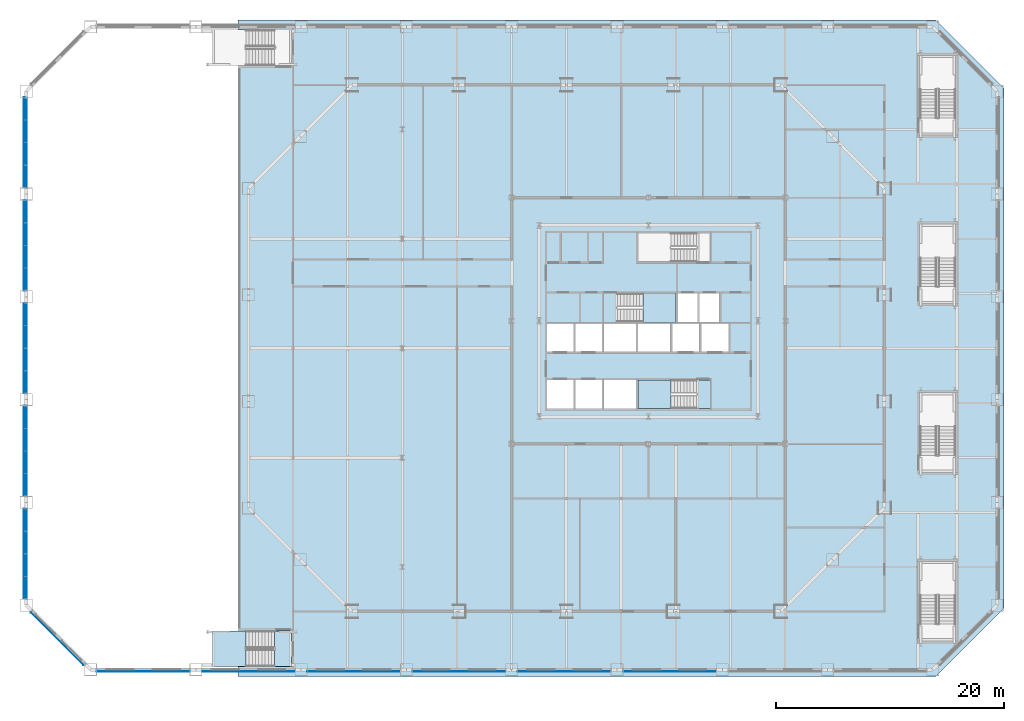
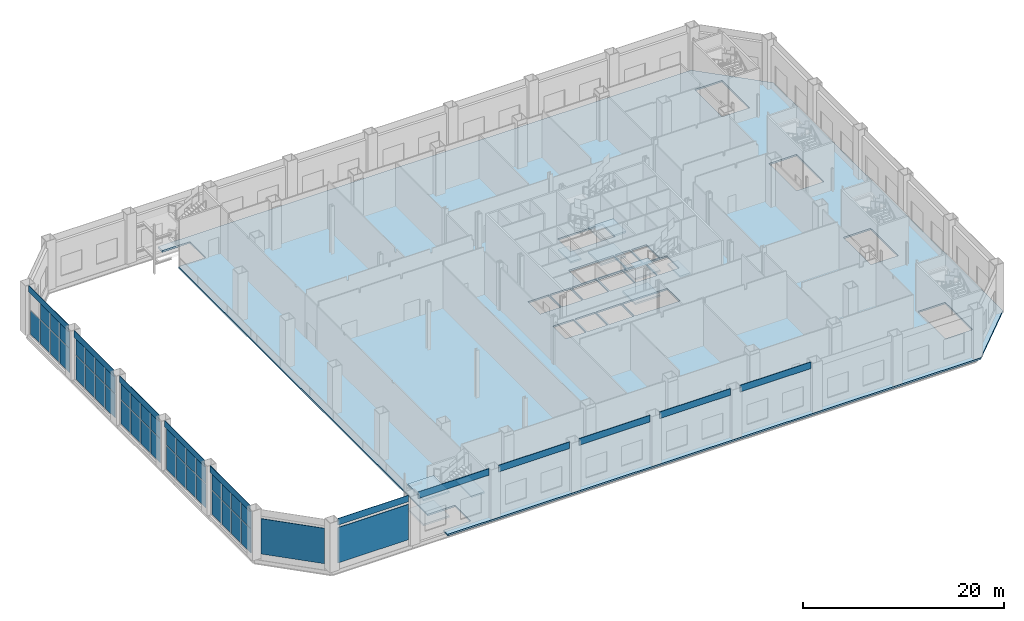
# One storey, part 14 of 31: 52 plates, 10 slabs, 8 elements without a shape of their own.
"""IFC4 building model written with IfcOpenShell, lengths in metres."""

from ifc_helpers import new_model, si_unit, direction, frame, origin, origin_2d, place, context, subcontext, project, spatial, polyline, rectangle, outline, extrude, material, layer, layer_set, type_object, element, aggregate, save


model = new_model("IFC4")

# Units and contexts
model_context = context("Model", 3, precision=1e-05, world=origin(), true_north=direction((0.0, 1.0)))
body_context = subcontext(model_context, "Body", "Model", "MODEL_VIEW")
ifc_project = project(units=[si_unit("LENGTHUNIT", "METRE"), si_unit("AREAUNIT", "SQUARE_METRE"), si_unit("VOLUMEUNIT", "CUBIC_METRE"), si_unit("PLANEANGLEUNIT", "RADIAN"), si_unit("MASSUNIT", "GRAM", prefix="KILO")], contexts=[model_context])

# Site, building, storey
site_placement = place(None, origin())
site = spatial("IfcSite", under=ifc_project, at=site_placement, CompositionType="ELEMENT")
building_placement = place(site_placement, origin())
building = spatial("IfcBuilding", under=site, at=building_placement, Name="Cairn Pilgrim Tower", CompositionType="ELEMENT")
storey_placement = place(building_placement, frame((0.0, 0.0, 15.0)))
storey = spatial("IfcBuildingStorey", under=building, at=storey_placement, Name="L02", CompositionType="ELEMENT", Elevation=15.0)

# Plates
ifc_material_1 = material(Name="Bronze anodised aluminium", Category="aluminium")
ifc_layer_1 = layer(ifc_material_1, 0.050048828125)
ifc_layer_set_1 = layer_set([ifc_layer_1], Name="BRONZE FASCIA PANEL 50")
plate_type_1 = type_object("IfcPlateType", Name="BRONZE FASCIA PANEL 50", PredefinedType="SHEET", material=ifc_layer_set_1)
for number, where, z_axis, x_axis, name in (
    (1, (-37.132568359375, -28.375, 5.2001953125), (0.0, 0.0, 1.0), (1.0, 0.0, 0.0), "FASCIA"),
    (2, (-27.894775390625, -28.375, 5.2001953125), (0.0, 0.0, 1.0), (1.0, 0.0, 0.0), "FASCIA"),
    (3, (-18.65673828125, -28.375, 5.2001953125), (0.0, 0.0, 1.0), (1.0, 0.0, 0.0), "FASCIA"),
    (4, (-9.4189453125, -28.375, 5.2001953125), (0.0, 0.0, 1.0), (1.0, 0.0, 0.0), "FASCIA"),
    (5, (-0.18115234375, -28.375, 5.2001953125), (0.0, 0.0, 1.0), (1.0, 0.0, 0.0), "FASCIA"),
    (6, (9.056884765625, -28.375, 5.2001953125), (0.0, 0.0, 1.0), (1.0, 0.0, 0.0), "FASCIA"),
):
    element("IfcPlate", number, at=place(storey_placement, frame(where, z_axis=z_axis, x_axis=x_axis)), inside=storey, type_object=plate_type_1, Name=name, PredefinedType="SHEET", context=body_context, shape_type="SweptSolid", body=[
        extrude(rectangle(XDim=8.137939453125, YDim=0.050048828125, at=origin_2d()), origin(), (0.0, 0.0, 1.0), 0.800048828125),
    ])
for number, where, z_axis, x_axis, name in (
    (7, (-47.574951171875, 18.041259765625, 5.2001953125), (0.0, 0.0, 1.0), (0.0, -1.0, 0.0), "FASCIA"),
    (8, (-47.574951171875, 9.0205078125, 5.2001953125), (0.0, 0.0, 1.0), (0.0, -1.0, 0.0), "FASCIA"),
    (9, (-47.574951171875, 0.0, 5.2001953125), (0.0, 0.0, 1.0), (0.0, -1.0, 0.0), "FASCIA"),
    (10, (-47.574951171875, -9.0205078125, 5.2001953125), (0.0, 0.0, 1.0), (0.0, -1.0, 0.0), "FASCIA"),
    (11, (-47.574951171875, -18.041259765625, 5.2001953125), (0.0, 0.0, 1.0), (0.0, -1.0, 0.0), "FASCIA"),
):
    element("IfcPlate", number, at=place(storey_placement, frame(where, z_axis=z_axis, x_axis=x_axis)), inside=storey, type_object=plate_type_1, Name=name, PredefinedType="SHEET", context=body_context, shape_type="SweptSolid", body=[
        extrude(rectangle(XDim=7.920654296875, YDim=0.050048828125, at=origin_2d()), origin(), (0.0, 0.0, 1.0), 0.800048828125),
    ])
ifc_material_2 = material(Name="Perforated bronze anodised aluminium", Category="aluminium")
ifc_layer_2 = layer(ifc_material_2, 0.050048828125)
ifc_layer_set_2 = layer_set([ifc_layer_2], Name="COBOGO SCREEN 50 BRONZE")
plate_type_2 = type_object("IfcPlateType", Name="COBOGO SCREEN 50 BRONZE", PredefinedType="SHEET", material=ifc_layer_set_2)
plate_1_placement = place(storey_placement, frame((-37.132568359375, -28.375, 0.60009765625), z_axis=(0.0, 0.0, 1.0), x_axis=(1.0, 0.0, 0.0)))
element("IfcPlate", 12, at=plate_1_placement, inside=storey, type_object=plate_type_2, Name="SCREEN", PredefinedType="SHEET", context=body_context, shape_type="SweptSolid", body=[
    extrude(rectangle(XDim=8.137939453125, YDim=0.050048828125, at=origin_2d()), origin(), (0.0, 0.0, 1.0), 4.300048828125),
])
plate_2_placement = place(storey_placement, frame((-44.699462890625, -25.49951171875, 0.60009765625), z_axis=(0.0, 0.0, 1.0), x_axis=(0.707106781187, -0.707106781187, 0.0)))
element("IfcPlate", 13, at=plate_2_placement, inside=storey, type_object=plate_type_2, Name="SCREEN", PredefinedType="SHEET", context=body_context, shape_type="SweptSolid", body=[
    extrude(rectangle(XDim=6.50830078125, YDim=0.050048828125, at=origin_2d()), origin(), (0.0, 0.0, 1.0), 4.300048828125),
])

# Curtain wall, plates
ifc_material_3 = material(Name="Bronze anodised aluminium with Tinted laminated low-E glass", Category="aluminium")
curtain_wall_type = type_object("IfcCurtainWallType", Name="HALL CW", PredefinedType="NOTDEFINED", material=ifc_material_3)
curtain_wall_1_placement = place(storey_placement, origin())
curtain_wall_1 = element("IfcCurtainWall", 14, at=curtain_wall_1_placement, inside=storey, type_object=curtain_wall_type, Name="HALL CW L02 W1-W2", PredefinedType="NOTDEFINED")
ifc_material_4 = material(Name="Tinted laminated low-E glass", Category="glass")
ifc_layer_3 = layer(ifc_material_4, 0.028076171875)
ifc_layer_set_3 = layer_set([ifc_layer_3], Name="HALL GLASS PANEL 1920x2020")
plate_type_3 = type_object("IfcPlateType", Name="HALL GLASS PANEL 1920x2020", PredefinedType="CURTAIN_PANEL", material=ifc_layer_set_3)
plate_3_placement = place(storey_placement, frame((-47.39990234375, 19.03125, 3.02978515625), z_axis=(0.0, 0.0, 1.0), x_axis=(0.0, -1.0, 0.0)))
plate_3 = element("IfcPlate", 15, at=plate_3_placement, type_object=plate_type_3, Name="HCW-W1-W2 panel 2.2", PredefinedType="CURTAIN_PANEL", context=body_context, shape_type="SweptSolid", body=[
    extrude(rectangle(XDim=1.920166015625, YDim=0.028076171875, at=origin_2d()), origin(), (0.0, 0.0, 1.0), 2.110107421875),
])
plate_4_placement = place(storey_placement, frame((-47.39990234375, 17.051025390625, 3.02978515625), z_axis=(0.0, 0.0, 1.0), x_axis=(0.0, -1.0, 0.0)))
plate_4 = element("IfcPlate", 16, at=plate_4_placement, type_object=plate_type_3, Name="HCW-W1-W2 panel 3.2", PredefinedType="CURTAIN_PANEL", context=body_context, shape_type="SweptSolid", body=[
    extrude(rectangle(XDim=1.920166015625, YDim=0.028076171875, at=origin_2d()), origin(), (0.0, 0.0, 1.0), 2.110107421875),
])
plate_5_placement = place(storey_placement, frame((-47.39990234375, 15.0859375, 3.02978515625), z_axis=(0.0, 0.0, 1.0), x_axis=(0.0, -1.0, 0.0)))
plate_5 = element("IfcPlate", 17, at=plate_5_placement, type_object=plate_type_3, Name="HCW-W1-W2 panel 4.2", PredefinedType="CURTAIN_PANEL", context=body_context, shape_type="SweptSolid", body=[
    extrude(rectangle(XDim=1.89013671875, YDim=0.028076171875, at=origin_2d()), origin(), (0.0, 0.0, 1.0), 2.110107421875),
])

curtain_wall_2_placement = place(storey_placement, origin())
curtain_wall_2 = element("IfcCurtainWall", 18, at=curtain_wall_2_placement, inside=storey, type_object=curtain_wall_type, Name="HALL CW L02 W2-W3", PredefinedType="NOTDEFINED")
plate_6_placement = place(storey_placement, frame((-47.39990234375, 11.975830078125, 3.02978515625), z_axis=(0.0, 0.0, 1.0), x_axis=(0.0, -1.0, 0.0)))
plate_6 = element("IfcPlate", 19, at=plate_6_placement, type_object=plate_type_3, Name="HCW-W2-W3 panel 1.2", PredefinedType="CURTAIN_PANEL", context=body_context, shape_type="SweptSolid", body=[
    extrude(rectangle(XDim=1.89013671875, YDim=0.028076171875, at=origin_2d()), origin(), (0.0, 0.0, 1.0), 2.110107421875),
])
plate_7_placement = place(storey_placement, frame((-47.39990234375, 10.0107421875, 3.02978515625), z_axis=(0.0, 0.0, 1.0), x_axis=(0.0, -1.0, 0.0)))
plate_7 = element("IfcPlate", 20, at=plate_7_placement, type_object=plate_type_3, Name="HCW-W2-W3 panel 2.2", PredefinedType="CURTAIN_PANEL", context=body_context, shape_type="SweptSolid", body=[
    extrude(rectangle(XDim=1.920166015625, YDim=0.028076171875, at=origin_2d()), origin(), (0.0, 0.0, 1.0), 2.110107421875),
])
plate_8_placement = place(storey_placement, frame((-47.39990234375, 8.030517578125, 3.02978515625), z_axis=(0.0, 0.0, 1.0), x_axis=(0.0, -1.0, 0.0)))
plate_8 = element("IfcPlate", 21, at=plate_8_placement, type_object=plate_type_3, Name="HCW-W2-W3 panel 3.2", PredefinedType="CURTAIN_PANEL", context=body_context, shape_type="SweptSolid", body=[
    extrude(rectangle(XDim=1.920166015625, YDim=0.028076171875, at=origin_2d()), origin(), (0.0, 0.0, 1.0), 2.110107421875),
])
plate_9_placement = place(storey_placement, frame((-47.39990234375, 6.0654296875, 3.02978515625), z_axis=(0.0, 0.0, 1.0), x_axis=(0.0, -1.0, 0.0)))
plate_9 = element("IfcPlate", 22, at=plate_9_placement, type_object=plate_type_3, Name="HCW-W2-W3 panel 4.2", PredefinedType="CURTAIN_PANEL", context=body_context, shape_type="SweptSolid", body=[
    extrude(rectangle(XDim=1.89013671875, YDim=0.028076171875, at=origin_2d()), origin(), (0.0, 0.0, 1.0), 2.110107421875),
])

curtain_wall_3_placement = place(storey_placement, origin())
curtain_wall_3 = element("IfcCurtainWall", 23, at=curtain_wall_3_placement, inside=storey, type_object=curtain_wall_type, Name="HALL CW L02 W3-W4", PredefinedType="NOTDEFINED")
plate_10_placement = place(storey_placement, frame((-47.39990234375, 2.955322265625, 3.02978515625), z_axis=(0.0, 0.0, 1.0), x_axis=(0.0, -1.0, 0.0)))
plate_10 = element("IfcPlate", 24, at=plate_10_placement, type_object=plate_type_3, Name="HCW-W3-W4 panel 1.2", PredefinedType="CURTAIN_PANEL", context=body_context, shape_type="SweptSolid", body=[
    extrude(rectangle(XDim=1.89013671875, YDim=0.028076171875, at=origin_2d()), origin(), (0.0, 0.0, 1.0), 2.110107421875),
])
plate_11_placement = place(storey_placement, frame((-47.39990234375, 0.989990234375, 3.02978515625), z_axis=(0.0, 0.0, 1.0), x_axis=(0.0, -1.0, 0.0)))
plate_11 = element("IfcPlate", 25, at=plate_11_placement, type_object=plate_type_3, Name="HCW-W3-W4 panel 2.2", PredefinedType="CURTAIN_PANEL", context=body_context, shape_type="SweptSolid", body=[
    extrude(rectangle(XDim=1.920166015625, YDim=0.028076171875, at=origin_2d()), origin(), (0.0, 0.0, 1.0), 2.110107421875),
])
plate_12_placement = place(storey_placement, frame((-47.39990234375, -0.989990234375, 3.02978515625), z_axis=(0.0, 0.0, 1.0), x_axis=(0.0, -1.0, 0.0)))
plate_12 = element("IfcPlate", 26, at=plate_12_placement, type_object=plate_type_3, Name="HCW-W3-W4 panel 3.2", PredefinedType="CURTAIN_PANEL", context=body_context, shape_type="SweptSolid", body=[
    extrude(rectangle(XDim=1.920166015625, YDim=0.028076171875, at=origin_2d()), origin(), (0.0, 0.0, 1.0), 2.110107421875),
])
plate_13_placement = place(storey_placement, frame((-47.39990234375, -2.955322265625, 3.02978515625), z_axis=(0.0, 0.0, 1.0), x_axis=(0.0, -1.0, 0.0)))
plate_13 = element("IfcPlate", 27, at=plate_13_placement, type_object=plate_type_3, Name="HCW-W3-W4 panel 4.2", PredefinedType="CURTAIN_PANEL", context=body_context, shape_type="SweptSolid", body=[
    extrude(rectangle(XDim=1.89013671875, YDim=0.028076171875, at=origin_2d()), origin(), (0.0, 0.0, 1.0), 2.110107421875),
])

curtain_wall_4_placement = place(storey_placement, origin())
curtain_wall_4 = element("IfcCurtainWall", 28, at=curtain_wall_4_placement, inside=storey, type_object=curtain_wall_type, Name="HALL CW L02 W4-W5", PredefinedType="NOTDEFINED")
plate_14_placement = place(storey_placement, frame((-47.39990234375, -6.0654296875, 3.02978515625), z_axis=(0.0, 0.0, 1.0), x_axis=(0.0, -1.0, 0.0)))
plate_14 = element("IfcPlate", 29, at=plate_14_placement, type_object=plate_type_3, Name="HCW-W4-W5 panel 1.2", PredefinedType="CURTAIN_PANEL", context=body_context, shape_type="SweptSolid", body=[
    extrude(rectangle(XDim=1.89013671875, YDim=0.028076171875, at=origin_2d()), origin(), (0.0, 0.0, 1.0), 2.110107421875),
])
plate_15_placement = place(storey_placement, frame((-47.39990234375, -8.030517578125, 3.02978515625), z_axis=(0.0, 0.0, 1.0), x_axis=(0.0, -1.0, 0.0)))
plate_15 = element("IfcPlate", 30, at=plate_15_placement, type_object=plate_type_3, Name="HCW-W4-W5 panel 2.2", PredefinedType="CURTAIN_PANEL", context=body_context, shape_type="SweptSolid", body=[
    extrude(rectangle(XDim=1.920166015625, YDim=0.028076171875, at=origin_2d()), origin(), (0.0, 0.0, 1.0), 2.110107421875),
])
plate_16_placement = place(storey_placement, frame((-47.39990234375, -10.0107421875, 3.02978515625), z_axis=(0.0, 0.0, 1.0), x_axis=(0.0, -1.0, 0.0)))
plate_16 = element("IfcPlate", 31, at=plate_16_placement, type_object=plate_type_3, Name="HCW-W4-W5 panel 3.2", PredefinedType="CURTAIN_PANEL", context=body_context, shape_type="SweptSolid", body=[
    extrude(rectangle(XDim=1.920166015625, YDim=0.028076171875, at=origin_2d()), origin(), (0.0, 0.0, 1.0), 2.110107421875),
])
plate_17_placement = place(storey_placement, frame((-47.39990234375, -11.975830078125, 3.02978515625), z_axis=(0.0, 0.0, 1.0), x_axis=(0.0, -1.0, 0.0)))
plate_17 = element("IfcPlate", 32, at=plate_17_placement, type_object=plate_type_3, Name="HCW-W4-W5 panel 4.2", PredefinedType="CURTAIN_PANEL", context=body_context, shape_type="SweptSolid", body=[
    extrude(rectangle(XDim=1.89013671875, YDim=0.028076171875, at=origin_2d()), origin(), (0.0, 0.0, 1.0), 2.110107421875),
])

curtain_wall_5_placement = place(storey_placement, origin())
curtain_wall_5 = element("IfcCurtainWall", 33, at=curtain_wall_5_placement, inside=storey, type_object=curtain_wall_type, Name="HALL CW L02 W5-SW1", PredefinedType="NOTDEFINED")
plate_18_placement = place(storey_placement, frame((-47.39990234375, -15.0859375, 3.02978515625), z_axis=(0.0, 0.0, 1.0), x_axis=(0.0, -1.0, 0.0)))
plate_18 = element("IfcPlate", 34, at=plate_18_placement, type_object=plate_type_3, Name="HCW-W5-SW1 panel 1.2", PredefinedType="CURTAIN_PANEL", context=body_context, shape_type="SweptSolid", body=[
    extrude(rectangle(XDim=1.89013671875, YDim=0.028076171875, at=origin_2d()), origin(), (0.0, 0.0, 1.0), 2.110107421875),
])
plate_19_placement = place(storey_placement, frame((-47.39990234375, -17.051025390625, 3.02978515625), z_axis=(0.0, 0.0, 1.0), x_axis=(0.0, -1.0, 0.0)))
plate_19 = element("IfcPlate", 35, at=plate_19_placement, type_object=plate_type_3, Name="HCW-W5-SW1 panel 2.2", PredefinedType="CURTAIN_PANEL", context=body_context, shape_type="SweptSolid", body=[
    extrude(rectangle(XDim=1.920166015625, YDim=0.028076171875, at=origin_2d()), origin(), (0.0, 0.0, 1.0), 2.110107421875),
])
plate_20_placement = place(storey_placement, frame((-47.39990234375, -19.03125, 3.02978515625), z_axis=(0.0, 0.0, 1.0), x_axis=(0.0, -1.0, 0.0)))
plate_20 = element("IfcPlate", 36, at=plate_20_placement, type_object=plate_type_3, Name="HCW-W5-SW1 panel 3.2", PredefinedType="CURTAIN_PANEL", context=body_context, shape_type="SweptSolid", body=[
    extrude(rectangle(XDim=1.920166015625, YDim=0.028076171875, at=origin_2d()), origin(), (0.0, 0.0, 1.0), 2.110107421875),
])
plate_21_placement = place(storey_placement, frame((-47.39990234375, -20.996337890625, 3.02978515625), z_axis=(0.0, 0.0, 1.0), x_axis=(0.0, -1.0, 0.0)))
plate_21 = element("IfcPlate", 37, at=plate_21_placement, type_object=plate_type_3, Name="HCW-W5-SW1 panel 4.2", PredefinedType="CURTAIN_PANEL", context=body_context, shape_type="SweptSolid", body=[
    extrude(rectangle(XDim=1.89013671875, YDim=0.028076171875, at=origin_2d()), origin(), (0.0, 0.0, 1.0), 2.110107421875),
])

# Plate
ifc_layer_4 = layer(ifc_material_4, 0.028076171875)
ifc_layer_set_4 = layer_set([ifc_layer_4], Name="HALL GLASS PANEL 1920x2820")
plate_type_4 = type_object("IfcPlateType", Name="HALL GLASS PANEL 1920x2820", PredefinedType="CURTAIN_PANEL", material=ifc_layer_set_4)
plate_22_placement = place(storey_placement, frame((-47.39990234375, 20.996337890625, 0.06005859375), z_axis=(0.0, 0.0, 1.0), x_axis=(0.0, -1.0, 0.0)))
plate_22 = element("IfcPlate", 38, at=plate_22_placement, type_object=plate_type_4, Name="HCW-W1-W2 panel 1.1", PredefinedType="CURTAIN_PANEL", context=body_context, shape_type="SweptSolid", body=[
    extrude(rectangle(XDim=1.89013671875, YDim=0.028076171875, at=origin_2d()), origin(), (0.0, 0.0, 1.0), 2.909912109375),
])

plate_23_placement = place(storey_placement, frame((-47.39990234375, 19.03125, 0.06005859375), z_axis=(0.0, 0.0, 1.0), x_axis=(0.0, -1.0, 0.0)))
plate_23 = element("IfcPlate", 39, at=plate_23_placement, type_object=plate_type_4, Name="HCW-W1-W2 panel 2.1", PredefinedType="CURTAIN_PANEL", context=body_context, shape_type="SweptSolid", body=[
    extrude(rectangle(XDim=1.920166015625, YDim=0.028076171875, at=origin_2d()), origin(), (0.0, 0.0, 1.0), 2.909912109375),
])

plate_24_placement = place(storey_placement, frame((-47.39990234375, 17.051025390625, 0.06005859375), z_axis=(0.0, 0.0, 1.0), x_axis=(0.0, -1.0, 0.0)))
plate_24 = element("IfcPlate", 40, at=plate_24_placement, type_object=plate_type_4, Name="HCW-W1-W2 panel 3.1", PredefinedType="CURTAIN_PANEL", context=body_context, shape_type="SweptSolid", body=[
    extrude(rectangle(XDim=1.920166015625, YDim=0.028076171875, at=origin_2d()), origin(), (0.0, 0.0, 1.0), 2.909912109375),
])

plate_25_placement = place(storey_placement, frame((-47.39990234375, 15.0859375, 0.06005859375), z_axis=(0.0, 0.0, 1.0), x_axis=(0.0, -1.0, 0.0)))
plate_25 = element("IfcPlate", 41, at=plate_25_placement, type_object=plate_type_4, Name="HCW-W1-W2 panel 4.1", PredefinedType="CURTAIN_PANEL", context=body_context, shape_type="SweptSolid", body=[
    extrude(rectangle(XDim=1.89013671875, YDim=0.028076171875, at=origin_2d()), origin(), (0.0, 0.0, 1.0), 2.909912109375),
])

aggregate(curtain_wall_1, [plate_22, plate_23, plate_3, plate_24, plate_4, plate_25, plate_5])

plate_26_placement = place(storey_placement, frame((-47.39990234375, 11.975830078125, 0.06005859375), z_axis=(0.0, 0.0, 1.0), x_axis=(0.0, -1.0, 0.0)))
plate_26 = element("IfcPlate", 42, at=plate_26_placement, type_object=plate_type_4, Name="HCW-W2-W3 panel 1.1", PredefinedType="CURTAIN_PANEL", context=body_context, shape_type="SweptSolid", body=[
    extrude(rectangle(XDim=1.89013671875, YDim=0.028076171875, at=origin_2d()), origin(), (0.0, 0.0, 1.0), 2.909912109375),
])

plate_27_placement = place(storey_placement, frame((-47.39990234375, 10.0107421875, 0.06005859375), z_axis=(0.0, 0.0, 1.0), x_axis=(0.0, -1.0, 0.0)))
plate_27 = element("IfcPlate", 43, at=plate_27_placement, type_object=plate_type_4, Name="HCW-W2-W3 panel 2.1", PredefinedType="CURTAIN_PANEL", context=body_context, shape_type="SweptSolid", body=[
    extrude(rectangle(XDim=1.920166015625, YDim=0.028076171875, at=origin_2d()), origin(), (0.0, 0.0, 1.0), 2.909912109375),
])

plate_28_placement = place(storey_placement, frame((-47.39990234375, 8.030517578125, 0.06005859375), z_axis=(0.0, 0.0, 1.0), x_axis=(0.0, -1.0, 0.0)))
plate_28 = element("IfcPlate", 44, at=plate_28_placement, type_object=plate_type_4, Name="HCW-W2-W3 panel 3.1", PredefinedType="CURTAIN_PANEL", context=body_context, shape_type="SweptSolid", body=[
    extrude(rectangle(XDim=1.920166015625, YDim=0.028076171875, at=origin_2d()), origin(), (0.0, 0.0, 1.0), 2.909912109375),
])

plate_29_placement = place(storey_placement, frame((-47.39990234375, 6.0654296875, 0.06005859375), z_axis=(0.0, 0.0, 1.0), x_axis=(0.0, -1.0, 0.0)))
plate_29 = element("IfcPlate", 45, at=plate_29_placement, type_object=plate_type_4, Name="HCW-W2-W3 panel 4.1", PredefinedType="CURTAIN_PANEL", context=body_context, shape_type="SweptSolid", body=[
    extrude(rectangle(XDim=1.89013671875, YDim=0.028076171875, at=origin_2d()), origin(), (0.0, 0.0, 1.0), 2.909912109375),
])

aggregate(curtain_wall_2, [plate_26, plate_6, plate_27, plate_7, plate_28, plate_8, plate_29, plate_9])

plate_30_placement = place(storey_placement, frame((-47.39990234375, 2.955322265625, 0.06005859375), z_axis=(0.0, 0.0, 1.0), x_axis=(0.0, -1.0, 0.0)))
plate_30 = element("IfcPlate", 46, at=plate_30_placement, type_object=plate_type_4, Name="HCW-W3-W4 panel 1.1", PredefinedType="CURTAIN_PANEL", context=body_context, shape_type="SweptSolid", body=[
    extrude(rectangle(XDim=1.89013671875, YDim=0.028076171875, at=origin_2d()), origin(), (0.0, 0.0, 1.0), 2.909912109375),
])

plate_31_placement = place(storey_placement, frame((-47.39990234375, 0.989990234375, 0.06005859375), z_axis=(0.0, 0.0, 1.0), x_axis=(0.0, -1.0, 0.0)))
plate_31 = element("IfcPlate", 47, at=plate_31_placement, type_object=plate_type_4, Name="HCW-W3-W4 panel 2.1", PredefinedType="CURTAIN_PANEL", context=body_context, shape_type="SweptSolid", body=[
    extrude(rectangle(XDim=1.920166015625, YDim=0.028076171875, at=origin_2d()), origin(), (0.0, 0.0, 1.0), 2.909912109375),
])

plate_32_placement = place(storey_placement, frame((-47.39990234375, -0.989990234375, 0.06005859375), z_axis=(0.0, 0.0, 1.0), x_axis=(0.0, -1.0, 0.0)))
plate_32 = element("IfcPlate", 48, at=plate_32_placement, type_object=plate_type_4, Name="HCW-W3-W4 panel 3.1", PredefinedType="CURTAIN_PANEL", context=body_context, shape_type="SweptSolid", body=[
    extrude(rectangle(XDim=1.920166015625, YDim=0.028076171875, at=origin_2d()), origin(), (0.0, 0.0, 1.0), 2.909912109375),
])

plate_33_placement = place(storey_placement, frame((-47.39990234375, -2.955322265625, 0.06005859375), z_axis=(0.0, 0.0, 1.0), x_axis=(0.0, -1.0, 0.0)))
plate_33 = element("IfcPlate", 49, at=plate_33_placement, type_object=plate_type_4, Name="HCW-W3-W4 panel 4.1", PredefinedType="CURTAIN_PANEL", context=body_context, shape_type="SweptSolid", body=[
    extrude(rectangle(XDim=1.89013671875, YDim=0.028076171875, at=origin_2d()), origin(), (0.0, 0.0, 1.0), 2.909912109375),
])

aggregate(curtain_wall_3, [plate_30, plate_10, plate_31, plate_11, plate_32, plate_12, plate_33, plate_13])

plate_34_placement = place(storey_placement, frame((-47.39990234375, -6.0654296875, 0.06005859375), z_axis=(0.0, 0.0, 1.0), x_axis=(0.0, -1.0, 0.0)))
plate_34 = element("IfcPlate", 50, at=plate_34_placement, type_object=plate_type_4, Name="HCW-W4-W5 panel 1.1", PredefinedType="CURTAIN_PANEL", context=body_context, shape_type="SweptSolid", body=[
    extrude(rectangle(XDim=1.89013671875, YDim=0.028076171875, at=origin_2d()), origin(), (0.0, 0.0, 1.0), 2.909912109375),
])

plate_35_placement = place(storey_placement, frame((-47.39990234375, -8.030517578125, 0.06005859375), z_axis=(0.0, 0.0, 1.0), x_axis=(0.0, -1.0, 0.0)))
plate_35 = element("IfcPlate", 51, at=plate_35_placement, type_object=plate_type_4, Name="HCW-W4-W5 panel 2.1", PredefinedType="CURTAIN_PANEL", context=body_context, shape_type="SweptSolid", body=[
    extrude(rectangle(XDim=1.920166015625, YDim=0.028076171875, at=origin_2d()), origin(), (0.0, 0.0, 1.0), 2.909912109375),
])

plate_36_placement = place(storey_placement, frame((-47.39990234375, -10.0107421875, 0.06005859375), z_axis=(0.0, 0.0, 1.0), x_axis=(0.0, -1.0, 0.0)))
plate_36 = element("IfcPlate", 52, at=plate_36_placement, type_object=plate_type_4, Name="HCW-W4-W5 panel 3.1", PredefinedType="CURTAIN_PANEL", context=body_context, shape_type="SweptSolid", body=[
    extrude(rectangle(XDim=1.920166015625, YDim=0.028076171875, at=origin_2d()), origin(), (0.0, 0.0, 1.0), 2.909912109375),
])

plate_37_placement = place(storey_placement, frame((-47.39990234375, -11.975830078125, 0.06005859375), z_axis=(0.0, 0.0, 1.0), x_axis=(0.0, -1.0, 0.0)))
plate_37 = element("IfcPlate", 53, at=plate_37_placement, type_object=plate_type_4, Name="HCW-W4-W5 panel 4.1", PredefinedType="CURTAIN_PANEL", context=body_context, shape_type="SweptSolid", body=[
    extrude(rectangle(XDim=1.89013671875, YDim=0.028076171875, at=origin_2d()), origin(), (0.0, 0.0, 1.0), 2.909912109375),
])

aggregate(curtain_wall_4, [plate_34, plate_14, plate_35, plate_15, plate_36, plate_16, plate_37, plate_17])

plate_38_placement = place(storey_placement, frame((-47.39990234375, -15.0859375, 0.06005859375), z_axis=(0.0, 0.0, 1.0), x_axis=(0.0, -1.0, 0.0)))
plate_38 = element("IfcPlate", 54, at=plate_38_placement, type_object=plate_type_4, Name="HCW-W5-SW1 panel 1.1", PredefinedType="CURTAIN_PANEL", context=body_context, shape_type="SweptSolid", body=[
    extrude(rectangle(XDim=1.89013671875, YDim=0.028076171875, at=origin_2d()), origin(), (0.0, 0.0, 1.0), 2.909912109375),
])

plate_39_placement = place(storey_placement, frame((-47.39990234375, -17.051025390625, 0.06005859375), z_axis=(0.0, 0.0, 1.0), x_axis=(0.0, -1.0, 0.0)))
plate_39 = element("IfcPlate", 55, at=plate_39_placement, type_object=plate_type_4, Name="HCW-W5-SW1 panel 2.1", PredefinedType="CURTAIN_PANEL", context=body_context, shape_type="SweptSolid", body=[
    extrude(rectangle(XDim=1.920166015625, YDim=0.028076171875, at=origin_2d()), origin(), (0.0, 0.0, 1.0), 2.909912109375),
])

plate_40_placement = place(storey_placement, frame((-47.39990234375, -19.03125, 0.06005859375), z_axis=(0.0, 0.0, 1.0), x_axis=(0.0, -1.0, 0.0)))
plate_40 = element("IfcPlate", 56, at=plate_40_placement, type_object=plate_type_4, Name="HCW-W5-SW1 panel 3.1", PredefinedType="CURTAIN_PANEL", context=body_context, shape_type="SweptSolid", body=[
    extrude(rectangle(XDim=1.920166015625, YDim=0.028076171875, at=origin_2d()), origin(), (0.0, 0.0, 1.0), 2.909912109375),
])

plate_41_placement = place(storey_placement, frame((-47.39990234375, -20.996337890625, 0.06005859375), z_axis=(0.0, 0.0, 1.0), x_axis=(0.0, -1.0, 0.0)))
plate_41 = element("IfcPlate", 57, at=plate_41_placement, type_object=plate_type_4, Name="HCW-W5-SW1 panel 4.1", PredefinedType="CURTAIN_PANEL", context=body_context, shape_type="SweptSolid", body=[
    extrude(rectangle(XDim=1.89013671875, YDim=0.028076171875, at=origin_2d()), origin(), (0.0, 0.0, 1.0), 2.909912109375),
])

aggregate(curtain_wall_5, [plate_38, plate_18, plate_39, plate_19, plate_40, plate_20, plate_41, plate_21])

# Slab
ifc_material_5 = material(Name="Concrete C35/45", Category="concrete")
ifc_layer_5 = layer(ifc_material_5, 0.199951171875)
ifc_layer_set_5 = layer_set([ifc_layer_5], Name="PODIUM COMPOSITE SLAB 200")
slab_type_1 = type_object("IfcSlabType", Name="PODIUM COMPOSITE SLAB 200", PredefinedType="FLOOR", material=ifc_layer_set_5)
slab_1_placement = place(storey_placement, frame((0.0, 0.0, -0.199951171875)))
element("IfcSlab", 58, at=slab_1_placement, inside=storey, type_object=slab_type_1, Name="PODIUM FLOOR SLAB L02", PredefinedType="FLOOR", context=body_context, shape_type="SweptSolid", body=[
    extrude(outline(polyline([(-25.650390625, -24.800048828125), (-25.650390625, -27.949951171875), (-28.800048828125, -27.949951171875), (-28.800048828125, -28.800048828125), (32.39990234375, -28.800048828125), (38.39990234375, -22.800048828125), (38.39990234375, 22.800048828125), (32.39990234375, 28.800048828125), (-28.800048828125, 28.800048828125), (-28.800048828125, 27.949951171875), (-25.650390625, 27.949951171875), (-25.650390625, 24.800048828125), (-28.800048828125, 24.800048828125), (-28.800048828125, -24.800048828125), (-25.650390625, -24.800048828125)]), holes=[polyline([(-1.72509765625, -2.77490234375), (0.625, -2.77490234375), (0.625, -5.300048828125), (-1.72509765625, -5.300048828125), (-1.72509765625, -2.77490234375)]), polyline([(3.125, -2.77490234375), (3.125, -5.300048828125), (0.77490234375, -5.300048828125), (0.77490234375, -2.77490234375), (3.125, -2.77490234375)]), polyline([(0.625, -0.324951171875), (-1.72509765625, -0.324951171875), (-1.72509765625, 2.125), (0.625, 2.125), (0.625, -0.324951171875)]), polyline([(0.77490234375, -0.324951171875), (0.77490234375, 2.125), (3.125, 2.125), (3.125, -0.324951171875), (0.77490234375, -0.324951171875)]), polyline([(3.27490234375, -2.77490234375), (6.125, -2.77490234375), (6.125, -5.300048828125), (3.27490234375, -5.300048828125), (3.27490234375, -2.77490234375)]), polyline([(6.125, 2.125), (6.125, -0.324951171875), (3.27490234375, -0.324951171875), (3.27490234375, 2.125), (6.125, 2.125)]), polyline([(9.125, -0.324951171875), (6.27490234375, -0.324951171875), (6.27490234375, 2.125), (9.125, 2.125), (9.125, -0.324951171875)]), polyline([(9.27490234375, -0.324951171875), (9.27490234375, 2.125), (11.675048828125, 2.125), (11.675048828125, -0.324951171875), (9.27490234375, -0.324951171875)]), polyline([(11.824951171875, 2.125), (14.22509765625, 2.125), (14.22509765625, -0.324951171875), (11.824951171875, -0.324951171875), (11.824951171875, 2.125)]), polyline([(11.52490234375, 4.824951171875), (11.52490234375, 2.27490234375), (9.77490234375, 2.27490234375), (9.77490234375, 4.824951171875), (11.52490234375, 4.824951171875)]), polyline([(13.425048828125, 2.27490234375), (11.675048828125, 2.27490234375), (11.675048828125, 4.824951171875), (13.425048828125, 4.824951171875), (13.425048828125, 2.27490234375)]), polyline([(11.424560546875, -2.77490234375), (11.424560546875, -5.300048828125), (6.27490234375, -5.300048828125), (6.27490234375, -2.77490234375), (11.424560546875, -2.77490234375)]), polyline([(4.4755859375, 4.824951171875), (9.625, 4.824951171875), (9.625, 2.27490234375), (4.4755859375, 2.27490234375), (4.4755859375, 4.824951171875)]), polyline([(6.27490234375, 7.574951171875), (6.27490234375, 10.10009765625), (11.424560546875, 10.10009765625), (11.424560546875, 7.574951171875), (6.27490234375, 7.574951171875)]), polyline([(31.0, -24.1494140625), (31.0, -18.699951171875), (34.14990234375, -18.699951171875), (34.14990234375, -24.1494140625), (31.0, -24.1494140625)]), polyline([(31.0, -3.89990234375), (34.14990234375, -3.89990234375), (34.14990234375, -9.349609375), (31.0, -9.349609375), (31.0, -3.89990234375)]), polyline([(34.14990234375, 10.89990234375), (34.14990234375, 5.450439453125), (31.0, 5.450439453125), (31.0, 10.89990234375), (34.14990234375, 10.89990234375)]), polyline([(34.14990234375, 20.25048828125), (31.0, 20.25048828125), (31.0, 25.699951171875), (34.14990234375, 25.699951171875), (34.14990234375, 20.25048828125)])]), origin(), (0.0, 0.0, 1.0), 0.199951171875),
])

# Stair, slabs
stair_type_1 = type_object("IfcStairType", Name="PODIUM EXIT STAIR 1500", PredefinedType="HALF_TURN_STAIR", material=ifc_material_5)
stair_1_placement = place(storey_placement, origin())
stair_1 = element("IfcStair", 59, at=stair_1_placement, inside=storey, type_object=stair_type_1, Name="L02 Exit Stair Hs", PredefinedType="HALF_TURN_STAIR")
ifc_layer_6 = layer(ifc_material_5, 0.199951171875)
ifc_layer_set_6 = layer_set([ifc_layer_6], Name="PODIUM STAIR LANDING 200")
slab_type_2 = type_object("IfcSlabType", Name="PODIUM STAIR LANDING 200", PredefinedType="LANDING", material=ifc_layer_set_6)
slab_2_placement = place(storey_placement, frame((0.0, 0.0, 1.300048828125)))
slab_2 = element("IfcSlab", 60, at=slab_2_placement, type_object=slab_type_2, Name="ST-HS landing 1", PredefinedType="LANDING", context=body_context, shape_type="SweptSolid", body=[
    extrude(outline(polyline([(-28.1201171875, -24.800048828125), (-31.10009765625, -24.800048828125), (-31.10009765625, -27.949951171875), (-28.1201171875, -27.949951171875), (-28.1201171875, -24.800048828125)])), origin(), (0.0, 0.0, 1.0), 0.199951171875),
])
slab_3_placement = place(storey_placement, frame((0.0, 0.0, 2.800048828125)))
slab_3 = element("IfcSlab", 61, at=slab_3_placement, type_object=slab_type_2, Name="ST-HS landing 2", PredefinedType="LANDING", context=body_context, shape_type="SweptSolid", body=[
    extrude(outline(polyline([(-24.10009765625, -24.800048828125), (-25.60009765625, -24.800048828125), (-25.60009765625, -27.949951171875), (-24.10009765625, -27.949951171875), (-24.10009765625, -24.800048828125)])), origin(), (0.0, 0.0, 1.0), 0.199951171875),
])
slab_4_placement = place(storey_placement, frame((0.0, 0.0, 4.300048828125)))
slab_4 = element("IfcSlab", 62, at=slab_4_placement, type_object=slab_type_2, Name="ST-HS landing 3", PredefinedType="LANDING", context=body_context, shape_type="SweptSolid", body=[
    extrude(outline(polyline([(-28.1201171875, -24.800048828125), (-31.10009765625, -24.800048828125), (-31.10009765625, -27.949951171875), (-28.1201171875, -27.949951171875), (-28.1201171875, -24.800048828125)])), origin(), (0.0, 0.0, 1.0), 0.199951171875),
])
aggregate(stair_1, [slab_2, slab_3, slab_4])

ifc_material_6 = material(Name="Concrete C32/40", Category="concrete")
stair_type_2 = type_object("IfcStairType", Name="EXIT STAIR 1200", PredefinedType="HALF_TURN_STAIR", material=ifc_material_6)
stair_2_placement = place(storey_placement, origin())
stair_2 = element("IfcStair", 63, at=stair_2_placement, inside=storey, type_object=stair_type_2, Name="L02 Exit Stair A", PredefinedType="HALF_TURN_STAIR")
ifc_layer_7 = layer(ifc_material_6, 0.199951171875)
ifc_layer_set_7 = layer_set([ifc_layer_7], Name="STAIR LANDING 200")
slab_type_3 = type_object("IfcSlabType", Name="STAIR LANDING 200", PredefinedType="LANDING", material=ifc_layer_set_7)
slab_5_placement = place(storey_placement, frame((0.0, 0.0, 1.300048828125)))
slab_5 = element("IfcSlab", 64, at=slab_5_placement, type_object=slab_type_3, Name="ST-A landing 1", PredefinedType="LANDING", context=body_context, shape_type="SweptSolid", body=[
    extrude(outline(polyline([(9.18505859375, -2.77490234375), (6.27490234375, -2.77490234375), (6.27490234375, -5.300048828125), (9.18505859375, -5.300048828125), (9.18505859375, -2.77490234375)])), origin(), (0.0, 0.0, 1.0), 0.199951171875),
])
slab_6_placement = place(storey_placement, frame((0.0, 0.0, 2.800048828125)))
slab_6 = element("IfcSlab", 65, at=slab_6_placement, type_object=slab_type_3, Name="ST-A landing 2", PredefinedType="LANDING", context=body_context, shape_type="SweptSolid", body=[
    extrude(outline(polyline([(12.625, -2.77490234375), (11.425048828125, -2.77490234375), (11.425048828125, -5.300048828125), (12.625, -5.300048828125), (12.625, -2.77490234375)])), origin(), (0.0, 0.0, 1.0), 0.199951171875),
])
slab_7_placement = place(storey_placement, frame((0.0, 0.0, 4.300048828125)))
slab_7 = element("IfcSlab", 66, at=slab_7_placement, type_object=slab_type_3, Name="ST-A landing 3", PredefinedType="LANDING", context=body_context, shape_type="SweptSolid", body=[
    extrude(outline(polyline([(9.18505859375, -2.77490234375), (6.27490234375, -2.77490234375), (6.27490234375, -5.300048828125), (9.18505859375, -5.300048828125), (9.18505859375, -2.77490234375)])), origin(), (0.0, 0.0, 1.0), 0.199951171875),
])
aggregate(stair_2, [slab_5, slab_6, slab_7])

stair_3_placement = place(storey_placement, origin())
stair_3 = element("IfcStair", 67, at=stair_3_placement, inside=storey, type_object=stair_type_2, Name="L02 Exit Stair B", PredefinedType="HALF_TURN_STAIR")
slab_8_placement = place(storey_placement, frame((0.0, 0.0, 1.300048828125)))
slab_8 = element("IfcSlab", 68, at=slab_8_placement, type_object=slab_type_3, Name="ST-B landing 1", PredefinedType="LANDING", context=body_context, shape_type="SweptSolid", body=[
    extrude(outline(polyline([(6.715087890625, 2.27490234375), (9.625, 2.27490234375), (9.625, 4.824951171875), (6.715087890625, 4.824951171875), (6.715087890625, 2.27490234375)])), origin(), (0.0, 0.0, 1.0), 0.199951171875),
])
slab_9_placement = place(storey_placement, frame((0.0, 0.0, 2.800048828125)))
slab_9 = element("IfcSlab", 69, at=slab_9_placement, type_object=slab_type_3, Name="ST-B landing 2", PredefinedType="LANDING", context=body_context, shape_type="SweptSolid", body=[
    extrude(outline(polyline([(3.27490234375, 2.27490234375), (4.47509765625, 2.27490234375), (4.47509765625, 4.824951171875), (3.27490234375, 4.824951171875), (3.27490234375, 2.27490234375)])), origin(), (0.0, 0.0, 1.0), 0.199951171875),
])
slab_10_placement = place(storey_placement, frame((0.0, 0.0, 4.300048828125)))
slab_10 = element("IfcSlab", 70, at=slab_10_placement, type_object=slab_type_3, Name="ST-B landing 3", PredefinedType="LANDING", context=body_context, shape_type="SweptSolid", body=[
    extrude(outline(polyline([(6.715087890625, 2.27490234375), (9.625, 2.27490234375), (9.625, 4.824951171875), (6.715087890625, 4.824951171875), (6.715087890625, 2.27490234375)])), origin(), (0.0, 0.0, 1.0), 0.199951171875),
])
aggregate(stair_3, [slab_8, slab_9, slab_10])

save(model, "model.ifc")
